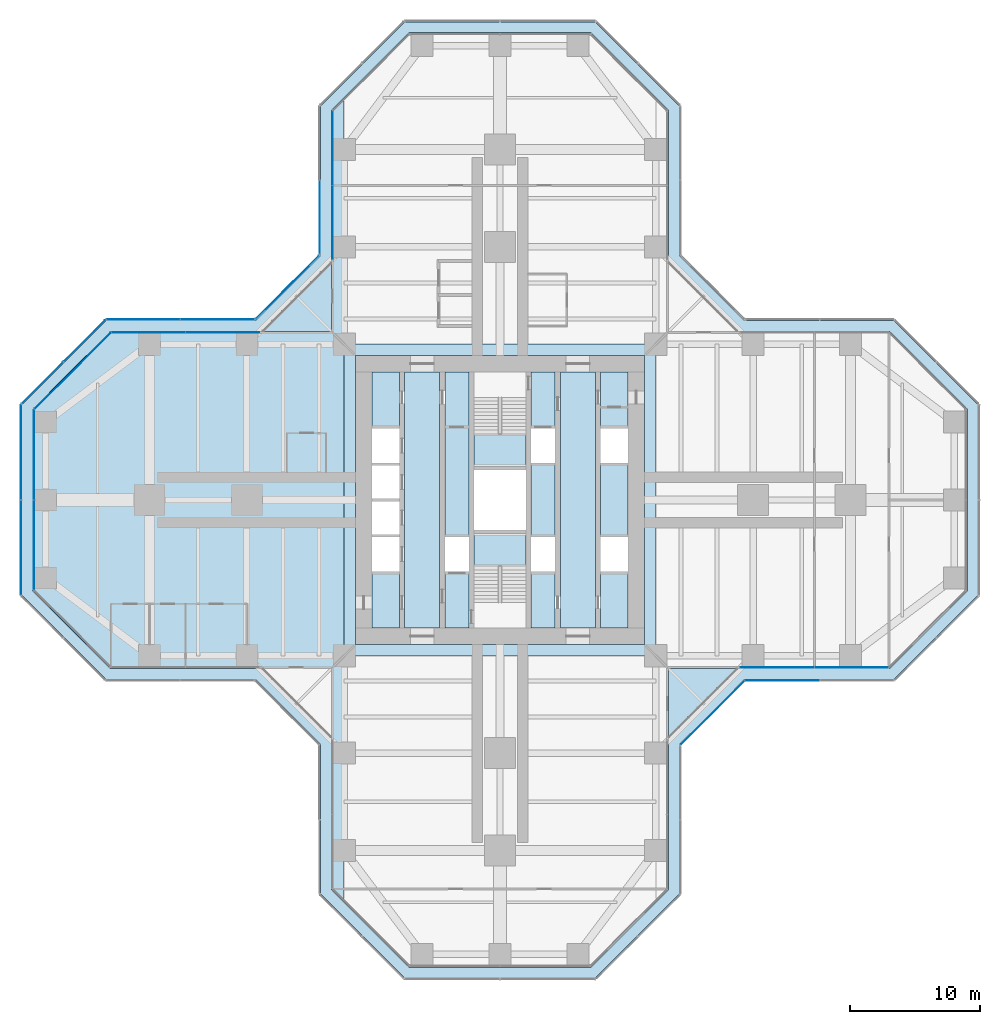
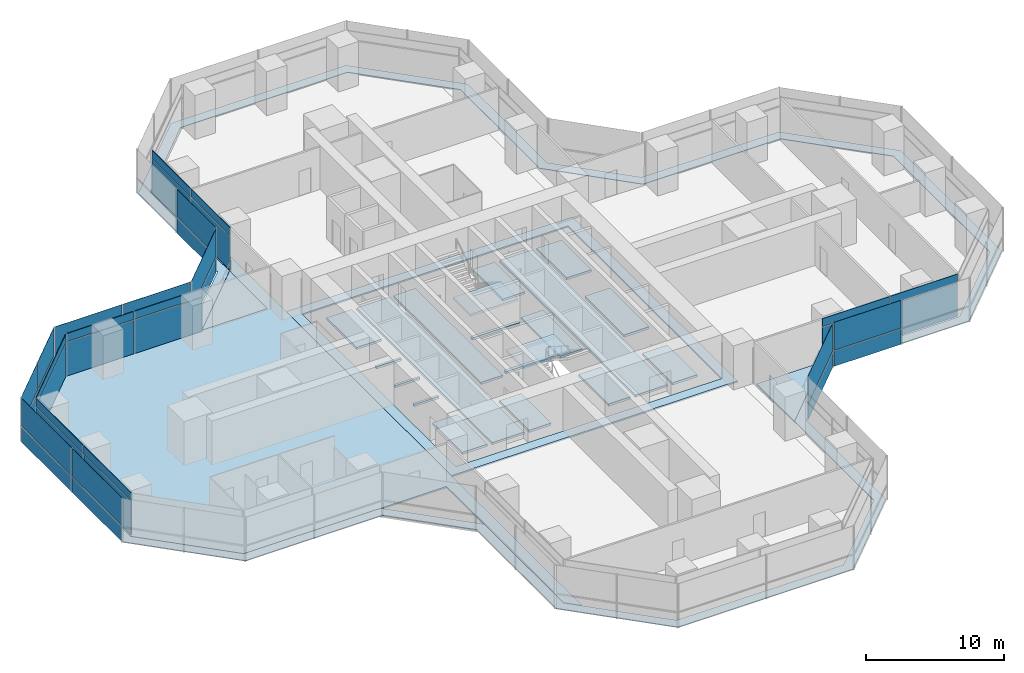
# One storey, part 15 of 22: 39 plates, 7 slabs, 14 elements without a shape of their own.
"""IFC4 building model written with IfcOpenShell, lengths in metres."""

import ifcopenshell
import ifcopenshell.guid

model = None  # the IFC model being written
_history = None  # IfcOwnerHistory: only IFC2X3 demands one
_inside = {}  # id of a spatial element -> (the spatial element, [elements in it])
_under = {}  # id of a project, library or spatial element -> (it, [spatial elements below it])
_declared = {}  # id of a project -> (the project, [libraries it declares])
_typed = {}  # id of a type object -> (the type object, [elements of that type])
_made_of = {}  # id of a material, layer set ... -> (it, [elements and type objects made of it])


def new_model(schema):
    """Start an empty IFC model of exactly this schema.

    Asked for "IFC4X3", IfcOpenShell would pick the latest addendum, in which some entities
    have other attributes; the version numbers below select the first issue.
    IFC2X3 requires an IfcOwnerHistory on every rooted entity: one is made here for all.
    """
    global model, _history
    if schema == "IFC4X3":
        model = ifcopenshell.file(schema_version=(4, 3, 0, 0))
    else:
        model = ifcopenshell.file(schema=schema)
    _inside.clear()
    _under.clear()
    _declared.clear()
    _typed.clear()
    _made_of.clear()
    _history = None
    if model.schema == "IFC2X3":
        org = make("IfcOrganization", Name="unknown")
        user = make(
            "IfcPersonAndOrganization",
            ThePerson=make("IfcPerson", FamilyName="unknown"),
            TheOrganization=org,
        )
        app = make(
            "IfcApplication",
            ApplicationDeveloper=org,
            Version="unknown",
            ApplicationFullName="unknown",
            ApplicationIdentifier="unknown",
        )
        _history = make(
            "IfcOwnerHistory",
            OwningUser=user,
            OwningApplication=app,
            ChangeAction="ADDED",
            CreationDate=0,
        )
    return model


def make(cls, **values):
    """One entity of the class cls with the attributes given. An attribute that is None is left unset."""
    return model.create_entity(
        cls, **{name: value for name, value in values.items() if value is not None}
    )


def rooted(cls, **values):
    """An entity with a GlobalId (a new one), such as an element, a storey or a relation."""
    return make(cls, GlobalId=ifcopenshell.guid.new(), OwnerHistory=_history, **values)


def si_unit(unit_type, name, prefix=None):
    """IfcSIUnit, for example si_unit("LENGTHUNIT", "METRE", prefix="MILLI")."""
    return make("IfcSIUnit", UnitType=unit_type, Prefix=prefix, Name=name)


def assignment(units):
    """IfcUnitAssignment: the units of a project."""
    return None if units is None else make("IfcUnitAssignment", Units=units)


def point(xyz):
    """IfcCartesianPoint."""
    return None if xyz is None else make("IfcCartesianPoint", Coordinates=xyz)


def direction(xyz):
    """IfcDirection."""
    return None if xyz is None else make("IfcDirection", DirectionRatios=xyz)


def frame(location, z_axis=None, x_axis=None):
    """IfcAxis2Placement3D, a coordinate frame: its origin and axes. An axis left out is left unset."""
    return make(
        "IfcAxis2Placement3D",
        Location=point(location),
        Axis=direction(z_axis),
        RefDirection=direction(x_axis),
    )


def frame_2d(location, x_axis=None):
    """IfcAxis2Placement2D, a coordinate frame in the plane: its origin and x axis."""
    return make(
        "IfcAxis2Placement2D", Location=point(location), RefDirection=direction(x_axis)
    )


def origin():
    """The frame at (0, 0, 0) with its axes left unset."""
    return frame((0.0, 0.0, 0.0))


def origin_2d():
    """The frame at (0, 0) in the plane with its x axis left unset."""
    return frame_2d((0.0, 0.0))


def place(relative_to, where):
    """IfcLocalPlacement: puts the frame where relative to a parent placement (None: the world)."""
    return make(
        "IfcLocalPlacement", PlacementRelTo=relative_to, RelativePlacement=where
    )


def context(
    kind, dimensions, precision=None, world=None, true_north=None, identifier=None
):
    """IfcGeometricRepresentationContext, for example the 3D "Model" context."""
    return make(
        "IfcGeometricRepresentationContext",
        ContextIdentifier=identifier,
        ContextType=kind,
        CoordinateSpaceDimension=dimensions,
        Precision=precision,
        WorldCoordinateSystem=world,
        TrueNorth=true_north,
    )


def subcontext(parent, identifier, kind, view, scale=None):
    """IfcGeometricRepresentationSubContext, for example "Body" below "Model"."""
    return make(
        "IfcGeometricRepresentationSubContext",
        ContextIdentifier=identifier,
        ContextType=kind,
        ParentContext=parent,
        TargetScale=scale,
        TargetView=view,
    )


def project(units=None, contexts=None):
    """IfcProject with its units and contexts."""
    return rooted(
        "IfcProject",
        Name="project",
        RepresentationContexts=contexts,
        UnitsInContext=assignment(units),
    )


def spatial(cls, under=None, at=None, **own):
    """A site, building, storey or space (cls), placed at a placement, below another one or the project."""
    s = rooted(cls, ObjectPlacement=at, **own)
    if under is not None:
        _under.setdefault(under.id(), (under, []))[1].append(s)
    return s


def polyline(points):
    """IfcPolyline through the points."""
    return make("IfcPolyline", Points=[point(p) for p in points])


def profile(cls, at=None, kind="AREA", **sizes):
    """A parametric profile (cls). Its sizes go by their IFC names, for example OverallWidth=200.0."""
    return make(cls, ProfileType=kind, Position=at, **sizes)


def rectangle(**sizes):
    """IfcRectangleProfileDef."""
    return profile("IfcRectangleProfileDef", **sizes)


def outline(outer, holes=None, kind="AREA"):
    """IfcArbitraryClosedProfileDef: a profile drawn as a closed curve; with holes, ...WithVoids."""
    if holes is None:
        return make("IfcArbitraryClosedProfileDef", ProfileType=kind, OuterCurve=outer)
    return make(
        "IfcArbitraryProfileDefWithVoids",
        ProfileType=kind,
        OuterCurve=outer,
        InnerCurves=holes,
    )


def extrude(swept, where, along, depth):
    """IfcExtrudedAreaSolid: the profile swept, set in the frame where, extruded along a direction by depth."""
    return make(
        "IfcExtrudedAreaSolid",
        SweptArea=swept,
        Position=where,
        ExtrudedDirection=direction(along),
        Depth=depth,
    )


def shape(context_of_items, identifier, shape_type, items):
    """IfcShapeRepresentation: the items that make up one representation, for example the "Body"."""
    return make(
        "IfcShapeRepresentation",
        ContextOfItems=context_of_items,
        RepresentationIdentifier=identifier,
        RepresentationType=shape_type,
        Items=items,
    )


def material(Name=None, Category=None):
    """IfcMaterial."""
    return make("IfcMaterial", Name=Name, Category=Category)


def layer(
    of_material, thickness, ventilated=None, Name=None, Category=None, Priority=None
):
    """IfcMaterialLayer: one layer of a wall or slab, of a material (None: an air gap)."""
    return make(
        "IfcMaterialLayer",
        Material=of_material,
        LayerThickness=thickness,
        IsVentilated=ventilated,
        Name=Name,
        Category=Category,
        Priority=Priority,
    )


def layer_set(layers, Name=None):
    """IfcMaterialLayerSet."""
    return make("IfcMaterialLayerSet", MaterialLayers=layers, LayerSetName=Name)


def made_of(thing, what):
    """Note that an element or type object is made of a material, layer set ...; save() writes the relation."""
    if what is not None:
        _made_of.setdefault(what.id(), (what, []))[1].append(thing)
    return thing


def type_object(cls, material=None, **own):
    """A type object (cls), such as IfcWallType, which elements share."""
    return made_of(rooted(cls, **own), material)


def element(
    cls,
    number,
    at=None,
    inside=None,
    cuts=None,
    type_object=None,
    material=None,
    context=None,
    identifier="Body",
    shape_type=None,
    held_by="IfcProductDefinitionShape",
    body=None,
    shapes=None,
    **own,
):
    """One element of the class cls, such as IfcWall. Its Tag is "e" and its number.

    at: its placement. inside: the storey or other place that contains it. cuts: it is an
    opening in that element (IfcRelVoidsElement). A single representation is given by context,
    identifier, shape_type and body (its items); several are given by shapes. held_by: the class
    of the entity that holds the representations. save() writes the other relations.
    """
    e = rooted(cls, Tag="e%d" % number, ObjectPlacement=at, **own)
    if body is not None:
        shapes = [shape(context, identifier, shape_type, body)]
    if shapes is not None:
        e.Representation = make(held_by, Representations=shapes)
    if inside is not None:
        _inside.setdefault(inside.id(), (inside, []))[1].append(e)
    if cuts is not None:
        rooted(
            "IfcRelVoidsElement", RelatingBuildingElement=cuts, RelatedOpeningElement=e
        )
    if type_object is not None:
        _typed.setdefault(type_object.id(), (type_object, []))[1].append(e)
    return made_of(e, material)


def aggregate(whole, parts):
    """IfcRelAggregates: a whole, such as a stair, and the parts it consists of."""
    return rooted("IfcRelAggregates", RelatingObject=whole, RelatedObjects=parts)


def save(model, path):
    """Write the relations noted so far, then the file.

    IfcRelAggregates (storeys below a building ...), IfcRelContainedInSpatialStructure (elements
    in a storey), IfcRelDefinesByType, IfcRelAssociatesMaterial and IfcRelDeclares: one each for
    every whole, place, type object, material and project.
    """
    for whole, parts in _under.values():
        aggregate(whole, parts)
    for where, things in _inside.values():
        rooted(
            "IfcRelContainedInSpatialStructure",
            RelatedElements=things,
            RelatingStructure=where,
        )
    for kind, things in _typed.values():
        rooted("IfcRelDefinesByType", RelatedObjects=things, RelatingType=kind)
    for what, things in _made_of.values():
        rooted("IfcRelAssociatesMaterial", RelatedObjects=things, RelatingMaterial=what)
    for by, libraries in _declared.values():
        rooted("IfcRelDeclares", RelatingContext=by, RelatedDefinitions=libraries)
    model.write(path)


model = new_model("IFC4")

# Units and contexts
model_context = context("Model", 3, precision=1e-05, world=origin(), true_north=direction((0.0, 1.0)))
body_context = subcontext(model_context, "Body", "Model", "MODEL_VIEW")
ifc_project = project(units=[si_unit("LENGTHUNIT", "METRE"), si_unit("AREAUNIT", "SQUARE_METRE"), si_unit("VOLUMEUNIT", "CUBIC_METRE"), si_unit("PLANEANGLEUNIT", "RADIAN"), si_unit("MASSUNIT", "GRAM", prefix="KILO")], contexts=[model_context])

# Site, building, storey
site_placement = place(None, origin())
site = spatial("IfcSite", under=ifc_project, at=site_placement, CompositionType="ELEMENT")
building_placement = place(site_placement, origin())
building = spatial("IfcBuilding", under=site, at=building_placement, Name="Mizan Broadcast Tower", CompositionType="ELEMENT")
storey_placement = place(building_placement, frame((0.0, 0.0, 70.800048828125)))
storey = spatial("IfcBuildingStorey", under=building, at=storey_placement, Name="L14", CompositionType="ELEMENT", Elevation=70.800048828125)

# Plate
ifc_material_1 = material(Name="Aluminium grating", Category="aluminium")
ifc_layer_1 = layer(ifc_material_1, 0.050048828125)
ifc_layer_set_1 = layer_set([ifc_layer_1], Name="Aluminium grating")
plate_type_1 = type_object("IfcPlateType", Name="CAVITY GRATING", PredefinedType="USERDEFINED", material=ifc_layer_set_1)
plate_1_placement = place(storey_placement, frame((0.0, 0.0, -0.050048828125)))
element("IfcPlate", 1, at=plate_1_placement, inside=storey, type_object=plate_type_1, Name="Cavity grating L14", ObjectType="GRATING", PredefinedType="USERDEFINED", context=body_context, shape_type="SweptSolid", body=[
    extrude(outline(polyline([(13.820068359375, -18.839599609375), (18.839599609375, -13.820068359375), (30.339599609375, -13.820068359375), (36.820068359375, -7.339599609375), (36.820068359375, 7.339599609375), (30.339599609375, 13.820068359375), (18.839599609375, 13.820068359375), (13.820068359375, 18.839599609375), (13.820068359375, 30.339599609375), (7.339599609375, 36.820068359375), (-7.339599609375, 36.820068359375), (-13.820068359375, 30.339599609375), (-13.820068359375, 18.839599609375), (-18.839599609375, 13.820068359375), (-30.339599609375, 13.820068359375), (-36.820068359375, 7.339599609375), (-36.820068359375, -7.339599609375), (-30.339599609375, -13.820068359375), (-18.839599609375, -13.820068359375), (-13.820068359375, -18.839599609375), (-13.820068359375, -30.339599609375), (-7.339599609375, -36.820068359375), (7.339599609375, -36.820068359375), (13.820068359375, -30.339599609375), (13.820068359375, -18.839599609375)]), holes=[polyline([(36.0, 7.0), (36.0, -7.0), (30.0, -13.0), (18.5, -13.0), (13.0, -18.5), (13.0, -30.0), (7.0, -36.0), (-7.0, -36.0), (-13.0, -30.0), (-13.0, -18.5), (-18.5, -13.0), (-30.0, -13.0), (-36.0, -7.0), (-36.0, 7.0), (-30.0, 13.0), (-18.5, 13.0), (-13.0, 18.5), (-13.0, 30.0), (-7.0, 36.0), (7.0, 36.0), (13.0, 30.0), (13.0, 18.5), (18.5, 13.0), (30.0, 13.0), (36.0, 7.0)])]), origin(), (0.0, 0.0, 1.0), 0.050048828125),
])

# Slabs
ifc_material_2 = material(Name="Concrete C32/40", Category="concrete")
ifc_layer_2 = layer(ifc_material_2, 0.1298828125)
ifc_layer_set_2 = layer_set([ifc_layer_2], Name="Concrete C32/40")
slab_type_1 = type_object("IfcSlabType", Name="COMPOSITE DECK SLAB 130", PredefinedType="FLOOR", material=ifc_layer_set_2)
slab_1_placement = place(storey_placement, frame((0.0, 0.0, -0.130126953125)))
element("IfcSlab", 2, at=slab_1_placement, inside=storey, type_object=slab_type_1, Name="Floor slab L14 centre", PredefinedType="FLOOR", context=body_context, shape_type="SweptSolid", body=[
    extrude(outline(polyline([(-12.0, -12.0), (12.0, -12.0), (12.0, 12.0), (-12.0, 12.0), (-12.0, -12.0)]), holes=[polyline([(-11.14990234375, 11.14990234375), (11.14990234375, 11.14990234375), (11.14990234375, -11.14990234375), (-11.14990234375, -11.14990234375), (-11.14990234375, 11.14990234375)])]), origin(), (0.0, 0.0, 1.0), 0.130126953125),
])
slab_2_placement = place(storey_placement, frame((0.0, 0.0, -0.130126953125)))
element("IfcSlab", 3, at=slab_2_placement, inside=storey, type_object=slab_type_1, Name="Floor slab L14 west arm", PredefinedType="FLOOR", context=body_context, shape_type="SweptSolid", body=[
    extrude(outline(polyline([(-13.0, -30.0), (-12.0, -31.0), (-12.0, 31.0), (-13.0, 30.0), (-13.0, 13.0), (-30.0, 13.0), (-36.0, 7.0), (-36.0, -7.0), (-30.0, -13.0), (-13.0, -13.0), (-13.0, -30.0)])), origin(), (0.0, 0.0, 1.0), 0.130126953125),
])
ifc_material_3 = material(Name="Concrete C40/50", Category="concrete")
ifc_layer_3 = layer(ifc_material_3, 0.199951171875)
ifc_layer_set_3 = layer_set([ifc_layer_3], Name="Concrete C40/50")
slab_type_2 = type_object("IfcSlabType", Name="CORE FLOOR 200", PredefinedType="FLOOR", material=ifc_layer_set_3)
slab_3_placement = place(storey_placement, frame((0.0, 0.0, -0.199951171875)))
element("IfcSlab", 4, at=slab_3_placement, inside=storey, type_object=slab_type_2, Name="Core floor L14", PredefinedType="FLOOR", context=body_context, shape_type="SweptSolid", body=[
    extrude(outline(polyline([(-9.85009765625, -9.85009765625), (-7.75, -9.85009765625), (-7.75, -5.5), (-9.85009765625, -5.5), (-9.85009765625, -9.85009765625)])), origin(), (0.0, 0.0, 1.0), 0.199951171875),
    extrude(outline(polyline([(-9.85009765625, -2.85009765625), (-7.75, -2.85009765625), (-7.75, -2.64990234375), (-9.85009765625, -2.64990234375), (-9.85009765625, -2.85009765625)])), origin(), (0.0, 0.0, 1.0), 0.199951171875),
    extrude(outline(polyline([(-9.85009765625, -0.10009765625), (-7.75, -0.10009765625), (-7.75, 0.10009765625), (-9.85009765625, 0.10009765625), (-9.85009765625, -0.10009765625)])), origin(), (0.0, 0.0, 1.0), 0.199951171875),
    extrude(outline(polyline([(-9.85009765625, 2.64990234375), (-7.75, 2.64990234375), (-7.75, 2.85009765625), (-9.85009765625, 2.85009765625), (-9.85009765625, 2.64990234375)])), origin(), (0.0, 0.0, 1.0), 0.199951171875),
    extrude(outline(polyline([(-9.85009765625, 5.5), (-7.75, 5.5), (-7.75, 9.85009765625), (-9.85009765625, 9.85009765625), (-9.85009765625, 5.5)])), origin(), (0.0, 0.0, 1.0), 0.199951171875),
    extrude(outline(polyline([(-4.64990234375, 9.85009765625), (-7.35009765625, 9.85009765625), (-7.35009765625, -9.85009765625), (-4.64990234375, -9.85009765625), (-4.64990234375, 9.85009765625)])), origin(), (0.0, 0.0, 1.0), 0.199951171875),
    extrude(outline(polyline([(-4.25, -5.5), (-4.25, -9.85009765625), (-2.39990234375, -9.85009765625), (-2.39990234375, -5.5), (-4.25, -5.5)])), origin(), (0.0, 0.0, 1.0), 0.199951171875),
    extrude(outline(polyline([(-4.25, -2.85009765625), (-2.39990234375, -2.85009765625), (-2.39990234375, 9.85009765625), (-4.25, 9.85009765625), (-4.25, -2.85009765625)])), origin(), (0.0, 0.0, 1.0), 0.199951171875),
    extrude(outline(polyline([(2.0, -2.324951171875), (-2.0, -2.324951171875), (-2.0, -2.574951171875), (2.0, -2.574951171875), (2.0, -2.324951171875)])), origin(), (0.0, 0.0, 1.0), 0.199951171875),
    extrude(outline(polyline([(2.0, 2.574951171875), (-2.0, 2.574951171875), (-2.0, 2.324951171875), (2.0, 2.324951171875), (2.0, 2.574951171875)])), origin(), (0.0, 0.0, 1.0), 0.199951171875),
    extrude(outline(polyline([(4.25, -9.85009765625), (4.25, -5.5), (2.39990234375, -5.5), (2.39990234375, -9.85009765625), (4.25, -9.85009765625)])), origin(), (0.0, 0.0, 1.0), 0.199951171875),
    extrude(outline(polyline([(4.25, -2.85009765625), (4.25, 2.85009765625), (2.39990234375, 2.85009765625), (2.39990234375, -2.85009765625), (4.25, -2.85009765625)])), origin(), (0.0, 0.0, 1.0), 0.199951171875),
    extrude(outline(polyline([(4.25, 5.5), (4.25, 9.85009765625), (2.39990234375, 9.85009765625), (2.39990234375, 5.5), (4.25, 5.5)])), origin(), (0.0, 0.0, 1.0), 0.199951171875),
    extrude(outline(polyline([(4.64990234375, 9.85009765625), (4.64990234375, -9.85009765625), (7.35009765625, -9.85009765625), (7.35009765625, 9.85009765625), (4.64990234375, 9.85009765625)])), origin(), (0.0, 0.0, 1.0), 0.199951171875),
    extrude(outline(polyline([(9.85009765625, -9.85009765625), (9.85009765625, -5.5), (7.75, -5.5), (7.75, -9.85009765625), (9.85009765625, -9.85009765625)])), origin(), (0.0, 0.0, 1.0), 0.199951171875),
    extrude(outline(polyline([(7.75, 2.85009765625), (7.75, -2.85009765625), (9.85009765625, -2.85009765625), (9.85009765625, 2.85009765625), (7.75, 2.85009765625)])), origin(), (0.0, 0.0, 1.0), 0.199951171875),
    extrude(outline(polyline([(9.85009765625, 5.5), (9.85009765625, 9.85009765625), (7.75, 9.85009765625), (7.75, 5.5), (9.85009765625, 5.5)])), origin(), (0.0, 0.0, 1.0), 0.199951171875),
])

# Curtain wall, plates
ifc_material_4 = material(Name="Aluminium framed glazing", Category="aluminium")
curtain_wall_type_1 = type_object("IfcCurtainWallType", Name="INNER SKIN LOW ZONE", PredefinedType="USERDEFINED", material=ifc_material_4)
curtain_wall_1_placement = place(storey_placement, origin())
curtain_wall_1 = element("IfcCurtainWall", 5, at=curtain_wall_1_placement, inside=storey, type_object=curtain_wall_type_1, Name="Inner skin low zone L14 E side", ObjectType="INNER SKIN LOW ZONE", PredefinedType="USERDEFINED")
ifc_material_5 = material(Name="Double glazing, clear low-e", Category="glass")
ifc_layer_4 = layer(ifc_material_5, 0.028076171875)
ifc_layer_set_4 = layer_set([ifc_layer_4], Name="Double glazing, clear low-e")
plate_type_2 = type_object("IfcPlateType", Name="INNER SKIN GLAZING UNIT", PredefinedType="CURTAIN_PANEL", material=ifc_layer_set_4)
plate_2_placement = place(storey_placement, frame((21.379638671875, -12.89990234375, 0.0), z_axis=(0.0, 0.0, 1.0), x_axis=(1.0, 0.0, 0.0)))
plate_2 = element("IfcPlate", 6, at=plate_2_placement, type_object=plate_type_2, Name="Inner skin low zone L14 E side panel 1.1", PredefinedType="CURTAIN_PANEL", context=body_context, shape_type="SweptSolid", body=[
    extrude(rectangle(XDim=5.639404296875, YDim=0.028076171875, at=origin_2d()), origin(), (0.0, 0.0, 1.0), 3.0),
])
plate_3_placement = place(storey_placement, frame((27.078857421875, -12.89990234375, 0.0), z_axis=(0.0, 0.0, 1.0), x_axis=(1.0, 0.0, 0.0)))
plate_3 = element("IfcPlate", 7, at=plate_3_placement, type_object=plate_type_2, Name="Inner skin low zone L14 E side panel 2.1", PredefinedType="CURTAIN_PANEL", context=body_context, shape_type="SweptSolid", body=[
    extrude(rectangle(XDim=5.639404296875, YDim=0.028076171875, at=origin_2d()), origin(), (0.0, 0.0, 1.0), 3.0),
])

curtain_wall_2_placement = place(storey_placement, origin())
curtain_wall_2 = element("IfcCurtainWall", 8, at=curtain_wall_2_placement, inside=storey, type_object=curtain_wall_type_1, Name="Inner skin low zone L14 N side", ObjectType="INNER SKIN LOW ZONE", PredefinedType="USERDEFINED")
plate_4_placement = place(storey_placement, frame((-12.89990234375, 27.078857421875, 0.0), z_axis=(0.0, 0.0, 1.0), x_axis=(0.0, -1.0, 0.0)))
plate_4 = element("IfcPlate", 9, at=plate_4_placement, type_object=plate_type_2, Name="Inner skin low zone L14 N side panel 1.1", PredefinedType="CURTAIN_PANEL", context=body_context, shape_type="SweptSolid", body=[
    extrude(rectangle(XDim=5.639404296875, YDim=0.028076171875, at=origin_2d()), origin(), (0.0, 0.0, 1.0), 3.0),
])
plate_5_placement = place(storey_placement, frame((-12.89990234375, 21.379638671875, 0.0), z_axis=(0.0, 0.0, 1.0), x_axis=(0.0, -1.0, 0.0)))
plate_5 = element("IfcPlate", 10, at=plate_5_placement, type_object=plate_type_2, Name="Inner skin low zone L14 N side panel 2.1", PredefinedType="CURTAIN_PANEL", context=body_context, shape_type="SweptSolid", body=[
    extrude(rectangle(XDim=5.639404296875, YDim=0.028076171875, at=origin_2d()), origin(), (0.0, 0.0, 1.0), 3.0),
])

curtain_wall_3_placement = place(storey_placement, origin())
curtain_wall_3 = element("IfcCurtainWall", 11, at=curtain_wall_3_placement, inside=storey, type_object=curtain_wall_type_1, Name="Inner skin low zone L14 W side", ObjectType="INNER SKIN LOW ZONE", PredefinedType="USERDEFINED")
plate_6_placement = place(storey_placement, frame((-21.379638671875, 12.89990234375, 0.0), z_axis=(0.0, 0.0, 1.0), x_axis=(-1.0, 0.0, 0.0)))
plate_6 = element("IfcPlate", 12, at=plate_6_placement, type_object=plate_type_2, Name="Inner skin low zone L14 W side panel 1.1", PredefinedType="CURTAIN_PANEL", context=body_context, shape_type="SweptSolid", body=[
    extrude(rectangle(XDim=5.639404296875, YDim=0.028076171875, at=origin_2d()), origin(), (0.0, 0.0, 1.0), 3.0),
])
plate_7_placement = place(storey_placement, frame((-27.078857421875, 12.89990234375, 0.0), z_axis=(0.0, 0.0, 1.0), x_axis=(-1.0, 0.0, 0.0)))
plate_7 = element("IfcPlate", 13, at=plate_7_placement, type_object=plate_type_2, Name="Inner skin low zone L14 W side panel 2.1", PredefinedType="CURTAIN_PANEL", context=body_context, shape_type="SweptSolid", body=[
    extrude(rectangle(XDim=5.639404296875, YDim=0.028076171875, at=origin_2d()), origin(), (0.0, 0.0, 1.0), 3.0),
])

# Curtain wall, plate
curtain_wall_4_placement = place(storey_placement, origin())
curtain_wall_4 = element("IfcCurtainWall", 14, at=curtain_wall_4_placement, inside=storey, type_object=curtain_wall_type_1, Name="Inner skin low zone L14 W chamfer", ObjectType="INNER SKIN LOW ZONE", PredefinedType="USERDEFINED")
plate_8_placement = place(storey_placement, frame((-32.92919921875, 9.92919921875, 0.0), z_axis=(0.0, 0.0, 1.0), x_axis=(-0.707106781187, -0.707106781187, 0.0)))
plate_8 = element("IfcPlate", 15, at=plate_8_placement, type_object=plate_type_2, Name="Inner skin low zone L14 W chamfer panel 1.1", PredefinedType="CURTAIN_PANEL", context=body_context, shape_type="SweptSolid", body=[
    extrude(rectangle(XDim=8.282470703125, YDim=0.028076171875, at=origin_2d()), origin(), (0.0, 0.0, 1.0), 3.0),
])

# Curtain wall, plates
curtain_wall_5_placement = place(storey_placement, origin())
curtain_wall_5 = element("IfcCurtainWall", 16, at=curtain_wall_5_placement, inside=storey, type_object=curtain_wall_type_1, Name="Inner skin low zone L14 W end", ObjectType="INNER SKIN LOW ZONE", PredefinedType="USERDEFINED")
plate_9_placement = place(storey_placement, frame((-35.89990234375, 3.46435546875, 0.0), z_axis=(0.0, 0.0, 1.0), x_axis=(0.0, -1.0, 0.0)))
plate_9 = element("IfcPlate", 17, at=plate_9_placement, type_object=plate_type_2, Name="Inner skin low zone L14 W end panel 1.1", PredefinedType="CURTAIN_PANEL", context=body_context, shape_type="SweptSolid", body=[
    extrude(rectangle(XDim=6.86865234375, YDim=0.028076171875, at=origin_2d()), origin(), (0.0, 0.0, 1.0), 3.0),
])
plate_10_placement = place(storey_placement, frame((-35.89990234375, -3.46435546875, 0.0), z_axis=(0.0, 0.0, 1.0), x_axis=(0.0, -1.0, 0.0)))
plate_10 = element("IfcPlate", 18, at=plate_10_placement, type_object=plate_type_2, Name="Inner skin low zone L14 W end panel 2.1", PredefinedType="CURTAIN_PANEL", context=body_context, shape_type="SweptSolid", body=[
    extrude(rectangle(XDim=6.86865234375, YDim=0.028076171875, at=origin_2d()), origin(), (0.0, 0.0, 1.0), 3.0),
])

# Plate
ifc_material_6 = material(Name="Insulated aluminium spandrel panel, pale anodised", Category="aluminium")
ifc_layer_5 = layer(ifc_material_6, 0.050048828125)
ifc_layer_set_5 = layer_set([ifc_layer_5], Name="Insulated aluminium spandrel panel, pale anodised")
plate_type_3 = type_object("IfcPlateType", Name="INNER SKIN SPANDREL PANEL", PredefinedType="CURTAIN_PANEL", material=ifc_layer_set_5)
plate_11_placement = place(storey_placement, frame((21.379638671875, -12.89990234375, 3.06005859375), z_axis=(0.0, 0.0, 1.0), x_axis=(1.0, 0.0, 0.0)))
plate_11 = element("IfcPlate", 19, at=plate_11_placement, type_object=plate_type_3, Name="Inner skin low zone L14 E side panel 1.2", PredefinedType="CURTAIN_PANEL", context=body_context, shape_type="SweptSolid", body=[
    extrude(rectangle(XDim=5.639404296875, YDim=0.050048828125, at=origin_2d()), origin(), (0.0, 0.0, 1.0), 0.7099609375),
])

plate_12_placement = place(storey_placement, frame((27.078857421875, -12.89990234375, 3.06005859375), z_axis=(0.0, 0.0, 1.0), x_axis=(1.0, 0.0, 0.0)))
plate_12 = element("IfcPlate", 20, at=plate_12_placement, type_object=plate_type_3, Name="Inner skin low zone L14 E side panel 2.2", PredefinedType="CURTAIN_PANEL", context=body_context, shape_type="SweptSolid", body=[
    extrude(rectangle(XDim=5.639404296875, YDim=0.050048828125, at=origin_2d()), origin(), (0.0, 0.0, 1.0), 0.7099609375),
])

aggregate(curtain_wall_1, [plate_2, plate_11, plate_3, plate_12])

plate_13_placement = place(storey_placement, frame((-12.89990234375, 27.078857421875, 3.06005859375), z_axis=(0.0, 0.0, 1.0), x_axis=(0.0, -1.0, 0.0)))
plate_13 = element("IfcPlate", 21, at=plate_13_placement, type_object=plate_type_3, Name="Inner skin low zone L14 N side panel 1.2", PredefinedType="CURTAIN_PANEL", context=body_context, shape_type="SweptSolid", body=[
    extrude(rectangle(XDim=5.639404296875, YDim=0.050048828125, at=origin_2d()), origin(), (0.0, 0.0, 1.0), 0.7099609375),
])

plate_14_placement = place(storey_placement, frame((-12.89990234375, 21.379638671875, 3.06005859375), z_axis=(0.0, 0.0, 1.0), x_axis=(0.0, -1.0, 0.0)))
plate_14 = element("IfcPlate", 22, at=plate_14_placement, type_object=plate_type_3, Name="Inner skin low zone L14 N side panel 2.2", PredefinedType="CURTAIN_PANEL", context=body_context, shape_type="SweptSolid", body=[
    extrude(rectangle(XDim=5.639404296875, YDim=0.050048828125, at=origin_2d()), origin(), (0.0, 0.0, 1.0), 0.7099609375),
])

aggregate(curtain_wall_2, [plate_4, plate_13, plate_5, plate_14])

plate_15_placement = place(storey_placement, frame((-21.379638671875, 12.89990234375, 3.06005859375), z_axis=(0.0, 0.0, 1.0), x_axis=(-1.0, 0.0, 0.0)))
plate_15 = element("IfcPlate", 23, at=plate_15_placement, type_object=plate_type_3, Name="Inner skin low zone L14 W side panel 1.2", PredefinedType="CURTAIN_PANEL", context=body_context, shape_type="SweptSolid", body=[
    extrude(rectangle(XDim=5.639404296875, YDim=0.050048828125, at=origin_2d()), origin(), (0.0, 0.0, 1.0), 0.7099609375),
])

plate_16_placement = place(storey_placement, frame((-27.078857421875, 12.89990234375, 3.06005859375), z_axis=(0.0, 0.0, 1.0), x_axis=(-1.0, 0.0, 0.0)))
plate_16 = element("IfcPlate", 24, at=plate_16_placement, type_object=plate_type_3, Name="Inner skin low zone L14 W side panel 2.2", PredefinedType="CURTAIN_PANEL", context=body_context, shape_type="SweptSolid", body=[
    extrude(rectangle(XDim=5.639404296875, YDim=0.050048828125, at=origin_2d()), origin(), (0.0, 0.0, 1.0), 0.7099609375),
])

aggregate(curtain_wall_3, [plate_6, plate_15, plate_7, plate_16])

plate_17_placement = place(storey_placement, frame((-32.92919921875, 9.92919921875, 3.06005859375), z_axis=(0.0, 0.0, 1.0), x_axis=(-0.707106781187, -0.707106781187, 0.0)))
plate_17 = element("IfcPlate", 25, at=plate_17_placement, type_object=plate_type_3, Name="Inner skin low zone L14 W chamfer panel 1.2", PredefinedType="CURTAIN_PANEL", context=body_context, shape_type="SweptSolid", body=[
    extrude(rectangle(XDim=8.282470703125, YDim=0.050048828125, at=origin_2d()), origin(), (0.0, 0.0, 1.0), 0.7099609375),
])

aggregate(curtain_wall_4, [plate_8, plate_17])

plate_18_placement = place(storey_placement, frame((-35.89990234375, 3.46435546875, 3.06005859375), z_axis=(0.0, 0.0, 1.0), x_axis=(0.0, -1.0, 0.0)))
plate_18 = element("IfcPlate", 26, at=plate_18_placement, type_object=plate_type_3, Name="Inner skin low zone L14 W end panel 1.2", PredefinedType="CURTAIN_PANEL", context=body_context, shape_type="SweptSolid", body=[
    extrude(rectangle(XDim=6.86865234375, YDim=0.050048828125, at=origin_2d()), origin(), (0.0, 0.0, 1.0), 0.7099609375),
])

plate_19_placement = place(storey_placement, frame((-35.89990234375, -3.46435546875, 3.06005859375), z_axis=(0.0, 0.0, 1.0), x_axis=(0.0, -1.0, 0.0)))
plate_19 = element("IfcPlate", 27, at=plate_19_placement, type_object=plate_type_3, Name="Inner skin low zone L14 W end panel 2.2", PredefinedType="CURTAIN_PANEL", context=body_context, shape_type="SweptSolid", body=[
    extrude(rectangle(XDim=6.86865234375, YDim=0.050048828125, at=origin_2d()), origin(), (0.0, 0.0, 1.0), 0.7099609375),
])

aggregate(curtain_wall_5, [plate_9, plate_18, plate_10, plate_19])

# Curtain wall, plates
ifc_material_7 = material(Name="Aluminium framed glazing", Category="aluminium")
curtain_wall_type_2 = type_object("IfcCurtainWallType", Name="OUTER SKIN", PredefinedType="USERDEFINED", material=ifc_material_7)
curtain_wall_6_placement = place(storey_placement, origin())
curtain_wall_6 = element("IfcCurtainWall", 28, at=curtain_wall_6_placement, inside=storey, type_object=curtain_wall_type_2, Name="Outer skin L14 W chamfer", ObjectType="OUTER SKIN", PredefinedType="USERDEFINED")
ifc_material_8 = material(Name="Laminated clear glass", Category="glass")
ifc_layer_6 = layer(ifc_material_8, 0.02001953125)
ifc_layer_set_6 = layer_set([ifc_layer_6], Name="Laminated clear glass")
plate_type_4 = type_object("IfcPlateType", Name="OUTER SKIN CLEAR GLASS", PredefinedType="CURTAIN_PANEL", material=ifc_layer_set_6)
plate_20_placement = place(storey_placement, frame((-16.386474609375, 16.386474609375, 0.0), z_axis=(0.0, 0.0, 1.0), x_axis=(-0.707106781187, -0.707106781187, 0.0)))
plate_20 = element("IfcPlate", 29, at=plate_20_placement, type_object=plate_type_4, Name="Outer skin L14 W chamfer panel 1.1", PredefinedType="CURTAIN_PANEL", context=body_context, shape_type="SweptSolid", body=[
    extrude(rectangle(XDim=6.87255859375, YDim=0.02001953125, at=origin_2d()), origin(), (0.0, 0.0, 1.0), 1.3701171875),
])
plate_21_placement = place(storey_placement, frame((-16.386474609375, 16.386474609375, 1.43017578125), z_axis=(0.0, 0.0, 1.0), x_axis=(-0.707106781187, -0.707106781187, 0.0)))
plate_21 = element("IfcPlate", 30, at=plate_21_placement, type_object=plate_type_4, Name="Outer skin L14 W chamfer panel 1.2", PredefinedType="CURTAIN_PANEL", context=body_context, shape_type="SweptSolid", body=[
    extrude(rectangle(XDim=6.87255859375, YDim=0.02001953125, at=origin_2d()), origin(), (0.0, 0.0, 1.0), 2.469970703125),
])
aggregate(curtain_wall_6, [plate_20, plate_21])

curtain_wall_7_placement = place(storey_placement, origin())
curtain_wall_7 = element("IfcCurtainWall", 31, at=curtain_wall_7_placement, inside=storey, type_object=curtain_wall_type_2, Name="Outer skin L14 W side", ObjectType="OUTER SKIN", PredefinedType="USERDEFINED")
plate_22_placement = place(storey_placement, frame((-21.767822265625, 13.89990234375, 0.0), z_axis=(0.0, 0.0, 1.0), x_axis=(-1.0, 0.0, 0.0)))
plate_22 = element("IfcPlate", 32, at=plate_22_placement, type_object=plate_type_4, Name="Outer skin L14 W side panel 1.1", PredefinedType="CURTAIN_PANEL", context=body_context, shape_type="SweptSolid", body=[
    extrude(rectangle(XDim=5.6298828125, YDim=0.02001953125, at=origin_2d()), origin(), (0.0, 0.0, 1.0), 1.3701171875),
])
plate_23_placement = place(storey_placement, frame((-21.767822265625, 13.89990234375, 1.43017578125), z_axis=(0.0, 0.0, 1.0), x_axis=(-1.0, 0.0, 0.0)))
plate_23 = element("IfcPlate", 33, at=plate_23_placement, type_object=plate_type_4, Name="Outer skin L14 W side panel 1.2", PredefinedType="CURTAIN_PANEL", context=body_context, shape_type="SweptSolid", body=[
    extrude(rectangle(XDim=5.6298828125, YDim=0.02001953125, at=origin_2d()), origin(), (0.0, 0.0, 1.0), 2.469970703125),
])
plate_24_placement = place(storey_placement, frame((-27.477783203125, 13.89990234375, 0.0), z_axis=(0.0, 0.0, 1.0), x_axis=(-1.0, 0.0, 0.0)))
plate_24 = element("IfcPlate", 34, at=plate_24_placement, type_object=plate_type_4, Name="Outer skin L14 W side panel 2.1", PredefinedType="CURTAIN_PANEL", context=body_context, shape_type="SweptSolid", body=[
    extrude(rectangle(XDim=5.6298828125, YDim=0.02001953125, at=origin_2d()), origin(), (0.0, 0.0, 1.0), 1.3701171875),
])
plate_25_placement = place(storey_placement, frame((-27.477783203125, 13.89990234375, 1.43017578125), z_axis=(0.0, 0.0, 1.0), x_axis=(-1.0, 0.0, 0.0)))
plate_25 = element("IfcPlate", 35, at=plate_25_placement, type_object=plate_type_4, Name="Outer skin L14 W side panel 2.2", PredefinedType="CURTAIN_PANEL", context=body_context, shape_type="SweptSolid", body=[
    extrude(rectangle(XDim=5.6298828125, YDim=0.02001953125, at=origin_2d()), origin(), (0.0, 0.0, 1.0), 2.469970703125),
])
aggregate(curtain_wall_7, [plate_22, plate_23, plate_24, plate_25])

curtain_wall_8_placement = place(storey_placement, origin())
curtain_wall_8 = element("IfcCurtainWall", 36, at=curtain_wall_8_placement, inside=storey, type_object=curtain_wall_type_2, Name="Outer skin L14 W chamfer", ObjectType="OUTER SKIN", PredefinedType="USERDEFINED")
plate_26_placement = place(storey_placement, frame((-32.018798828125, 12.254150390625, 0.0), z_axis=(0.0, 0.0, 1.0), x_axis=(-0.707106781187, -0.707106781187, 0.0)))
plate_26 = element("IfcPlate", 37, at=plate_26_placement, type_object=plate_type_4, Name="Outer skin L14 W chamfer panel 1.1", PredefinedType="CURTAIN_PANEL", context=body_context, shape_type="SweptSolid", body=[
    extrude(rectangle(XDim=4.495361328125, YDim=0.02001953125, at=origin_2d()), origin(), (0.0, 0.0, 1.0), 1.3701171875),
])
plate_27_placement = place(storey_placement, frame((-32.018798828125, 12.254150390625, 1.43017578125), z_axis=(0.0, 0.0, 1.0), x_axis=(-0.707106781187, -0.707106781187, 0.0)))
plate_27 = element("IfcPlate", 38, at=plate_27_placement, type_object=plate_type_4, Name="Outer skin L14 W chamfer panel 1.2", PredefinedType="CURTAIN_PANEL", context=body_context, shape_type="SweptSolid", body=[
    extrude(rectangle(XDim=4.495361328125, YDim=0.02001953125, at=origin_2d()), origin(), (0.0, 0.0, 1.0), 2.469970703125),
])

curtain_wall_9_placement = place(storey_placement, origin())
curtain_wall_9 = element("IfcCurtainWall", 39, at=curtain_wall_9_placement, inside=storey, type_object=curtain_wall_type_2, Name="Outer skin L14 W end", ObjectType="OUTER SKIN", PredefinedType="USERDEFINED")
plate_28_placement = place(storey_placement, frame((-36.89990234375, 3.66650390625, 0.0), z_axis=(0.0, 0.0, 1.0), x_axis=(0.0, -1.0, 0.0)))
plate_28 = element("IfcPlate", 40, at=plate_28_placement, type_object=plate_type_4, Name="Outer skin L14 W end panel 1.1", PredefinedType="CURTAIN_PANEL", context=body_context, shape_type="SweptSolid", body=[
    extrude(rectangle(XDim=7.252685546875, YDim=0.02001953125, at=origin_2d()), origin(), (0.0, 0.0, 1.0), 1.3701171875),
])
plate_29_placement = place(storey_placement, frame((-36.89990234375, 3.66650390625, 1.43017578125), z_axis=(0.0, 0.0, 1.0), x_axis=(0.0, -1.0, 0.0)))
plate_29 = element("IfcPlate", 41, at=plate_29_placement, type_object=plate_type_4, Name="Outer skin L14 W end panel 1.2", PredefinedType="CURTAIN_PANEL", context=body_context, shape_type="SweptSolid", body=[
    extrude(rectangle(XDim=7.252685546875, YDim=0.02001953125, at=origin_2d()), origin(), (0.0, 0.0, 1.0), 2.469970703125),
])

curtain_wall_10_placement = place(storey_placement, origin())
curtain_wall_10 = element("IfcCurtainWall", 42, at=curtain_wall_10_placement, inside=storey, type_object=curtain_wall_type_2, Name="Outer skin L14 E chamfer", ObjectType="OUTER SKIN", PredefinedType="USERDEFINED")
plate_30_placement = place(storey_placement, frame((16.386474609375, -16.386474609375, 0.0), z_axis=(0.0, 0.0, 1.0), x_axis=(0.707106781187, 0.707106781187, 0.0)))
plate_30 = element("IfcPlate", 43, at=plate_30_placement, type_object=plate_type_4, Name="Outer skin L14 E chamfer panel 1.1", PredefinedType="CURTAIN_PANEL", context=body_context, shape_type="SweptSolid", body=[
    extrude(rectangle(XDim=6.87255859375, YDim=0.02001953125, at=origin_2d()), origin(), (0.0, 0.0, 1.0), 1.3701171875),
])
plate_31_placement = place(storey_placement, frame((16.386474609375, -16.386474609375, 1.43017578125), z_axis=(0.0, 0.0, 1.0), x_axis=(0.707106781187, 0.707106781187, 0.0)))
plate_31 = element("IfcPlate", 44, at=plate_31_placement, type_object=plate_type_4, Name="Outer skin L14 E chamfer panel 1.2", PredefinedType="CURTAIN_PANEL", context=body_context, shape_type="SweptSolid", body=[
    extrude(rectangle(XDim=6.87255859375, YDim=0.02001953125, at=origin_2d()), origin(), (0.0, 0.0, 1.0), 2.469970703125),
])
aggregate(curtain_wall_10, [plate_30, plate_31])

curtain_wall_11_placement = place(storey_placement, origin())
curtain_wall_11 = element("IfcCurtainWall", 45, at=curtain_wall_11_placement, inside=storey, type_object=curtain_wall_type_2, Name="Outer skin L14 E side", ObjectType="OUTER SKIN", PredefinedType="USERDEFINED")
plate_32_placement = place(storey_placement, frame((21.767822265625, -13.89990234375, 0.0), z_axis=(0.0, 0.0, 1.0), x_axis=(1.0, 0.0, 0.0)))
plate_32 = element("IfcPlate", 46, at=plate_32_placement, type_object=plate_type_4, Name="Outer skin L14 E side panel 1.1", PredefinedType="CURTAIN_PANEL", context=body_context, shape_type="SweptSolid", body=[
    extrude(rectangle(XDim=5.6298828125, YDim=0.02001953125, at=origin_2d()), origin(), (0.0, 0.0, 1.0), 1.3701171875),
])
plate_33_placement = place(storey_placement, frame((21.767822265625, -13.89990234375, 1.43017578125), z_axis=(0.0, 0.0, 1.0), x_axis=(1.0, 0.0, 0.0)))
plate_33 = element("IfcPlate", 47, at=plate_33_placement, type_object=plate_type_4, Name="Outer skin L14 E side panel 1.2", PredefinedType="CURTAIN_PANEL", context=body_context, shape_type="SweptSolid", body=[
    extrude(rectangle(XDim=5.6298828125, YDim=0.02001953125, at=origin_2d()), origin(), (0.0, 0.0, 1.0), 2.469970703125),
])
aggregate(curtain_wall_11, [plate_32, plate_33])

curtain_wall_12_placement = place(storey_placement, origin())
curtain_wall_12 = element("IfcCurtainWall", 48, at=curtain_wall_12_placement, inside=storey, type_object=curtain_wall_type_2, Name="Outer skin L14 N side", ObjectType="OUTER SKIN", PredefinedType="USERDEFINED")
ifc_material_9 = material(Name="Perforated aluminium, pale anodised", Category="aluminium")
ifc_layer_7 = layer(ifc_material_9, 0.011962890625)
ifc_layer_set_7 = layer_set([ifc_layer_7], Name="Perforated aluminium, pale anodised")
plate_type_5 = type_object("IfcPlateType", Name="OUTER SKIN PERFORATED SCREEN", PredefinedType="USERDEFINED", material=ifc_layer_set_7)
plate_34_placement = place(storey_placement, frame((-13.89990234375, 21.767822265625, 0.0), z_axis=(0.0, 0.0, 1.0), x_axis=(0.0, -1.0, 0.0)))
plate_34 = element("IfcPlate", 49, at=plate_34_placement, type_object=plate_type_5, Name="Outer skin L14 N side panel 2.1", ObjectType="SCREEN", PredefinedType="USERDEFINED", context=body_context, shape_type="SweptSolid", body=[
    extrude(rectangle(XDim=5.6298828125, YDim=0.011962890625, at=origin_2d()), origin(), (0.0, 0.0, 1.0), 1.3701171875),
])
plate_35_placement = place(storey_placement, frame((-13.89990234375, 21.767822265625, 1.43017578125), z_axis=(0.0, 0.0, 1.0), x_axis=(0.0, -1.0, 0.0)))
plate_35 = element("IfcPlate", 50, at=plate_35_placement, type_object=plate_type_5, Name="Outer skin L14 N side panel 2.2", ObjectType="SCREEN", PredefinedType="USERDEFINED", context=body_context, shape_type="SweptSolid", body=[
    extrude(rectangle(XDim=5.6298828125, YDim=0.011962890625, at=origin_2d()), origin(), (0.0, 0.0, 1.0), 2.469970703125),
])
aggregate(curtain_wall_12, [plate_34, plate_35])

# Plate
plate_36_placement = place(storey_placement, frame((-35.254150390625, 9.018798828125, 0.0), z_axis=(0.0, 0.0, 1.0), x_axis=(-0.707106781187, -0.707106781187, 0.0)))
plate_36 = element("IfcPlate", 51, at=plate_36_placement, type_object=plate_type_5, Name="Outer skin L14 W chamfer panel 2.1", ObjectType="SCREEN", PredefinedType="USERDEFINED", context=body_context, shape_type="SweptSolid", body=[
    extrude(rectangle(XDim=4.495361328125, YDim=0.011962890625, at=origin_2d()), origin(), (0.0, 0.0, 1.0), 1.3701171875),
])

plate_37_placement = place(storey_placement, frame((-35.254150390625, 9.018798828125, 1.43017578125), z_axis=(0.0, 0.0, 1.0), x_axis=(-0.707106781187, -0.707106781187, 0.0)))
plate_37 = element("IfcPlate", 52, at=plate_37_placement, type_object=plate_type_5, Name="Outer skin L14 W chamfer panel 2.2", ObjectType="SCREEN", PredefinedType="USERDEFINED", context=body_context, shape_type="SweptSolid", body=[
    extrude(rectangle(XDim=4.495361328125, YDim=0.011962890625, at=origin_2d()), origin(), (0.0, 0.0, 1.0), 2.469970703125),
])

aggregate(curtain_wall_8, [plate_26, plate_27, plate_36, plate_37])

plate_38_placement = place(storey_placement, frame((-36.89990234375, -3.66650390625, 0.0), z_axis=(0.0, 0.0, 1.0), x_axis=(0.0, -1.0, 0.0)))
plate_38 = element("IfcPlate", 53, at=plate_38_placement, type_object=plate_type_5, Name="Outer skin L14 W end panel 2.1", ObjectType="SCREEN", PredefinedType="USERDEFINED", context=body_context, shape_type="SweptSolid", body=[
    extrude(rectangle(XDim=7.252685546875, YDim=0.011962890625, at=origin_2d()), origin(), (0.0, 0.0, 1.0), 1.3701171875),
])

plate_39_placement = place(storey_placement, frame((-36.89990234375, -3.66650390625, 1.43017578125), z_axis=(0.0, 0.0, 1.0), x_axis=(0.0, -1.0, 0.0)))
plate_39 = element("IfcPlate", 54, at=plate_39_placement, type_object=plate_type_5, Name="Outer skin L14 W end panel 2.2", ObjectType="SCREEN", PredefinedType="USERDEFINED", context=body_context, shape_type="SweptSolid", body=[
    extrude(rectangle(XDim=7.252685546875, YDim=0.011962890625, at=origin_2d()), origin(), (0.0, 0.0, 1.0), 2.469970703125),
])

aggregate(curtain_wall_9, [plate_28, plate_29, plate_38, plate_39])

# Stair, slab
ifc_material_10 = material(Name="Concrete C40/50", Category="concrete")
stair_type = type_object("IfcStairType", Name="EXIT STAIR", PredefinedType="HALF_TURN_STAIR", material=ifc_material_10)
stair_1_placement = place(storey_placement, origin())
stair_1 = element("IfcStair", 55, at=stair_1_placement, inside=storey, type_object=stair_type, Name="Stair A L14", PredefinedType="HALF_TURN_STAIR")
ifc_material_11 = material(Name="Concrete C40/50", Category="concrete")
ifc_layer_8 = layer(ifc_material_11, 0.199951171875)
ifc_layer_set_8 = layer_set([ifc_layer_8], Name="Concrete C40/50")
slab_type_3 = type_object("IfcSlabType", Name="STAIR LANDING 200", PredefinedType="LANDING", material=ifc_layer_set_8)
slab_4_placement = place(storey_placement, frame((0.0, 0.0, 1.75)))
slab_4 = element("IfcSlab", 56, at=slab_4_placement, type_object=slab_type_3, Name="A landing 2", PredefinedType="LANDING", context=body_context, shape_type="SweptSolid", body=[
    extrude(outline(polyline([(-2.0, -5.10009765625), (-2.0, -2.574951171875), (2.0, -2.574951171875), (2.0, -5.10009765625), (-2.0, -5.10009765625)])), origin(), (0.0, 0.0, 1.0), 0.199951171875),
])
aggregate(stair_1, [slab_4])

stair_2_placement = place(storey_placement, origin())
stair_2 = element("IfcStair", 57, at=stair_2_placement, inside=storey, type_object=stair_type, Name="Stair B L14", PredefinedType="HALF_TURN_STAIR")
slab_5_placement = place(storey_placement, frame((0.0, 0.0, 1.75)))
slab_5 = element("IfcSlab", 58, at=slab_5_placement, type_object=slab_type_3, Name="B landing 2", PredefinedType="LANDING", context=body_context, shape_type="SweptSolid", body=[
    extrude(outline(polyline([(2.0, 5.10009765625), (2.0, 2.574951171875), (-2.0, 2.574951171875), (-2.0, 5.10009765625), (2.0, 5.10009765625)])), origin(), (0.0, 0.0, 1.0), 0.199951171875),
])
aggregate(stair_2, [slab_5])

# Slabs
ifc_material_12 = material(Name="Concrete C32/40", Category="concrete")
ifc_layer_9 = layer(ifc_material_12, 0.1298828125)
ifc_layer_set_9 = layer_set([ifc_layer_9], Name="Concrete C32/40")
slab_type_4 = type_object("IfcSlabType", Name="WINTER GARDEN SLAB 130", PredefinedType="FLOOR", material=ifc_layer_set_9)
slab_6_placement = place(storey_placement, frame((0.0, 0.0, -0.130126953125)))
element("IfcSlab", 59, at=slab_6_placement, inside=storey, type_object=slab_type_4, Name="Winter garden slab L14 N", PredefinedType="FLOOR", context=body_context, shape_type="SweptSolid", body=[
    extrude(outline(polyline([(-13.0, 13.0), (-13.0, 18.5), (-18.5, 13.0), (-13.0, 13.0)])), origin(), (0.0, 0.0, 1.0), 0.130126953125),
])
slab_7_placement = place(storey_placement, frame((0.0, 0.0, -0.130126953125)))
element("IfcSlab", 60, at=slab_7_placement, inside=storey, type_object=slab_type_4, Name="Winter garden slab L14 S", PredefinedType="FLOOR", context=body_context, shape_type="SweptSolid", body=[
    extrude(outline(polyline([(13.0, -13.0), (13.0, -18.5), (18.5, -13.0), (13.0, -13.0)])), origin(), (0.0, 0.0, 1.0), 0.130126953125),
])

save(model, "model.ifc")
